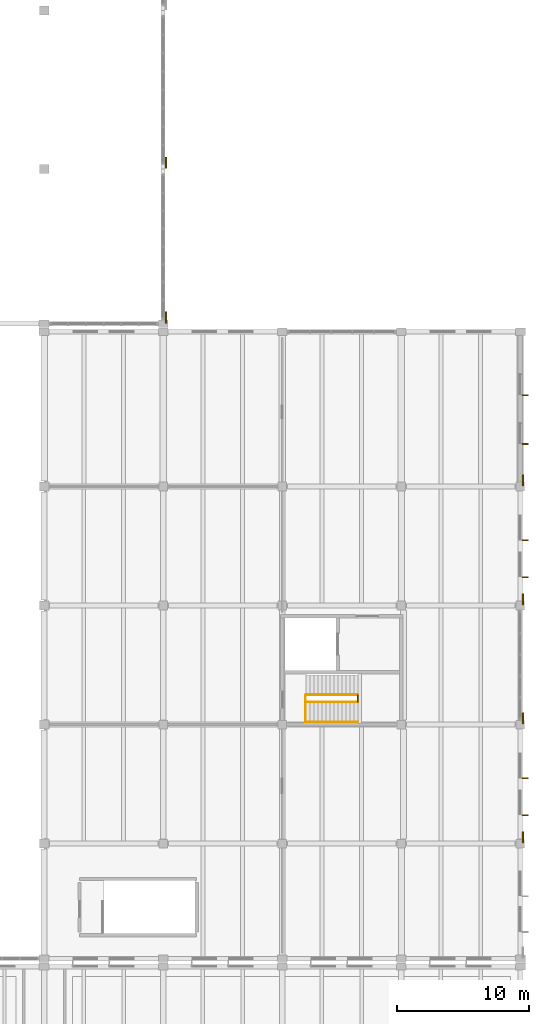
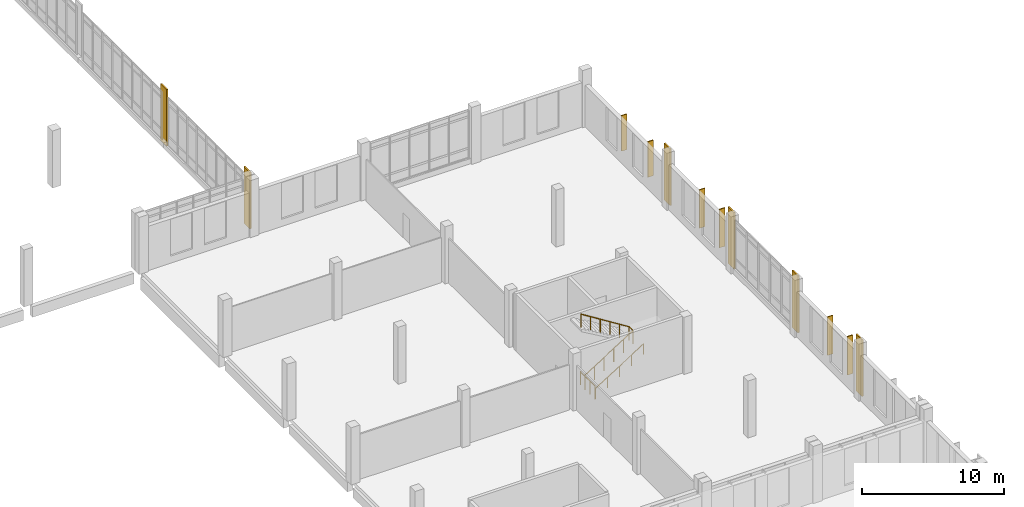
# One storey, part 106 of 110: 6 coverings, 6 shading devices, 5 railings.
"""IFC4 building model written with IfcOpenShell, lengths in metres."""

from ifc_helpers import new_model, si_unit, direction, frame, origin, origin_2d, place, context, subcontext, project, spatial, rectangle, circle, extrude, material, layer, layer_set, type_object, element, save


model = new_model("IFC4")

# Units and contexts
model_context = context("Model", 3, precision=1e-05, world=origin(), true_north=direction((0.0, 1.0)))
body_context = subcontext(model_context, "Body", "Model", "MODEL_VIEW")
ifc_project = project(units=[si_unit("LENGTHUNIT", "METRE"), si_unit("AREAUNIT", "SQUARE_METRE"), si_unit("VOLUMEUNIT", "CUBIC_METRE"), si_unit("PLANEANGLEUNIT", "RADIAN"), si_unit("MASSUNIT", "GRAM", prefix="KILO")], contexts=[model_context])

# Site, building, storey
site_placement = place(None, origin())
site = spatial("IfcSite", under=ifc_project, at=site_placement, CompositionType="ELEMENT")
building_placement = place(site_placement, origin())
building = spatial("IfcBuilding", under=site, at=building_placement, Name="Zacnel Wholesale Market", CompositionType="ELEMENT")
storey_placement = place(building_placement, frame((0.0, 0.0, 6.300048828125)))
storey = spatial("IfcBuildingStorey", under=building, at=storey_placement, Name="L02", CompositionType="ELEMENT", Elevation=6.300048828125)

# Coverings
ifc_material_1 = material(Name="Honed Yucatan Maya cream limestone", Category="masonry")
ifc_layer = layer(ifc_material_1, 0.090087890625)
ifc_layer_set = layer_set([ifc_layer], Name="Honed Yucatan Maya cream limestone")
covering_type = type_object("IfcCoveringType", Name="COV-CLAD-FRET", PredefinedType="CLADDING", material=ifc_layer_set)
for number, where, z_axis, x_axis, name in (
    (1, (189.2099609375, 96.780029296875, 0.02001953125), (0.0, 0.0, 1.0), (0.0, 1.0, 0.0), "Fluted Mayan-Deco limestone pilaster L02-0140"),
    (2, (189.2099609375, 108.47998046875, 0.02001953125), (0.0, 0.0, 1.0), (0.0, 1.0, 0.0), "Fluted Mayan-Deco limestone pilaster L02-0141"),
    (3, (216.2099609375, 57.47998046875, 0.02001953125), (0.0, 0.0, 1.0), (0.0, 1.0, 0.0), "Fluted Mayan-Deco limestone pilaster L02-0158"),
    (4, (216.2099609375, 66.47998046875, 0.02001953125), (0.0, 0.0, 1.0), (0.0, 1.0, 0.0), "Fluted Mayan-Deco limestone pilaster L02-0159"),
    (5, (216.2099609375, 75.47998046875, 0.02001953125), (0.0, 0.0, 1.0), (0.0, 1.0, 0.0), "Fluted Mayan-Deco limestone pilaster L02-0160"),
    (6, (216.2099609375, 84.47998046875, 0.02001953125), (0.0, 0.0, 1.0), (0.0, 1.0, 0.0), "Fluted Mayan-Deco limestone pilaster L02-0161"),
):
    element("IfcCovering", number, at=place(storey_placement, frame(where, z_axis=z_axis, x_axis=x_axis)), inside=storey, type_object=covering_type, Name=name, PredefinedType="CLADDING", context=body_context, shape_type="SweptSolid", body=[
        extrude(rectangle(XDim=0.85009765625, YDim=0.1201171875, at=origin_2d()), origin(), (0.0, 0.0, 1.0), 4.860107421875),
    ])

# Railings
ifc_material_2 = material(Name="Galvanized steel", Category="steel")
railing_type_1 = type_object("IfcRailingType", Name="RAL-HANDRAIL-920", PredefinedType="HANDRAIL", material=ifc_material_2)
railing_1_placement = place(storey_placement, frame((199.81005859375, 66.2099609375, 0.0)))
element("IfcRailing", 7, at=railing_1_placement, inside=storey, type_object=railing_type_1, Name="Stair ST-27 wall handrail", PredefinedType="HANDRAIL", context=body_context, shape_type="SweptSolid", body=[
    extrude(circle(Radius=0.02099609375, at=origin_2d()), frame((0.0, 0.0, 0.89892578125), z_axis=(0.846775046443, 0.0, 0.531951145052), x_axis=(0.0, 1.0, 0.0)), (0.0, 0.0, 1.0), 4.605712890625),
    extrude(circle(Radius=0.01806640625, at=origin_2d()), origin(), (0.0, 0.0, 1.0), 0.8779296875),
    extrude(circle(Radius=0.01806640625, at=origin_2d()), frame((0.97509765625, 0.0, 0.612548828125)), (0.0, 0.0, 1.0), 0.8779296875),
    extrude(circle(Radius=0.01806640625, at=origin_2d()), frame((1.949951171875, 0.0, 1.22509765625)), (0.0, 0.0, 1.0), 0.8779296875),
    extrude(circle(Radius=0.01806640625, at=origin_2d()), frame((2.9248046875, 0.0, 1.83740234375)), (0.0, 0.0, 1.0), 0.8779296875),
    extrude(circle(Radius=0.01806640625, at=origin_2d()), frame((3.89990234375, 0.0, 2.449951171875)), (0.0, 0.0, 1.0), 0.8779296875),
])
ifc_material_3 = material(Name="Galvanized steel", Category="steel")
railing_type_2 = type_object("IfcRailingType", Name="RAL-STAIR-GD1150", PredefinedType="BALUSTRADE", material=ifc_material_3)
railing_2_placement = place(storey_placement, frame((199.75, 66.18994140625, 0.0)))
element("IfcRailing", 8, at=railing_2_placement, inside=storey, type_object=railing_type_2, Name="Stair balustrade INT-STAIR-ST-15-GDWELL-1", PredefinedType="BALUSTRADE", context=body_context, shape_type="SweptSolid", body=[
    extrude(circle(Radius=0.02392578125, at=origin_2d()), frame((0.0, 0.0, 1.1259765625), z_axis=(0.0, 1.0, 0.0), x_axis=(-1.0, 0.0, 0.0)), (0.0, 0.0, 1.0), 2.06005859375),
    extrude(circle(Radius=0.02099609375, at=origin_2d()), origin(), (0.0, 0.0, 1.0), 1.101806640625),
    extrude(circle(Radius=0.02099609375, at=origin_2d()), frame((0.0, 0.686767578125, 0.0)), (0.0, 0.0, 1.0), 1.101806640625),
    extrude(circle(Radius=0.02099609375, at=origin_2d()), frame((0.0, 1.373291015625, 0.0)), (0.0, 0.0, 1.0), 1.101806640625),
    extrude(circle(Radius=0.02099609375, at=origin_2d()), frame((0.0, 2.06005859375, 0.0)), (0.0, 0.0, 1.0), 1.101806640625),
])
railing_3_placement = place(storey_placement, frame((199.81005859375, 67.699951171875, 0.0)))
element("IfcRailing", 9, at=railing_3_placement, inside=storey, type_object=railing_type_2, Name="Stair balustrade INT-STAIR-ST-27-GDIN-1", PredefinedType="BALUSTRADE", context=body_context, shape_type="SweptSolid", body=[
    extrude(circle(Radius=0.02392578125, at=origin_2d()), frame((0.0, 0.0, 1.1259765625), z_axis=(0.846775046443, 0.0, 0.531951145052), x_axis=(0.0, 1.0, 0.0)), (0.0, 0.0, 1.0), 4.605712890625),
    extrude(circle(Radius=0.02099609375, at=origin_2d()), origin(), (0.0, 0.0, 1.0), 1.101806640625),
    extrude(circle(Radius=0.02099609375, at=origin_2d()), frame((0.780029296875, 0.0, 0.489990234375)), (0.0, 0.0, 1.0), 1.101806640625),
    extrude(circle(Radius=0.02099609375, at=origin_2d()), frame((1.56005859375, 0.0, 0.97998046875)), (0.0, 0.0, 1.0), 1.101806640625),
    extrude(circle(Radius=0.02099609375, at=origin_2d()), frame((2.33984375, 0.0, 1.469970703125)), (0.0, 0.0, 1.0), 1.101806640625),
    extrude(circle(Radius=0.02099609375, at=origin_2d()), frame((3.119873046875, 0.0, 1.9599609375)), (0.0, 0.0, 1.0), 1.101806640625),
    extrude(circle(Radius=0.02099609375, at=origin_2d()), frame((3.89990234375, 0.0, 2.449951171875)), (0.0, 0.0, 1.0), 1.101806640625),
])
railing_4_placement = place(storey_placement, frame((203.7099609375, 67.699951171875, 2.449951171875)))
element("IfcRailing", 10, at=railing_4_placement, inside=storey, type_object=railing_type_2, Name="Stair balustrade INT-STAIR-ST-27-GDIN-2", PredefinedType="BALUSTRADE", context=body_context, shape_type="SweptSolid", body=[
    extrude(circle(Radius=0.02392578125, at=origin_2d()), frame((0.0, 0.0, 1.1259765625), z_axis=(0.0, 1.0, 0.0), x_axis=(-1.0, 0.0, 0.0)), (0.0, 0.0, 1.0), 0.550048828125),
    extrude(circle(Radius=0.02099609375, at=origin_2d()), origin(), (0.0, 0.0, 1.0), 1.101806640625),
    extrude(circle(Radius=0.02099609375, at=origin_2d()), frame((0.0, 0.550048828125, 0.0)), (0.0, 0.0, 1.0), 1.101806640625),
])
railing_5_placement = place(storey_placement, frame((203.7099609375, 68.25, 2.449951171875)))
element("IfcRailing", 11, at=railing_5_placement, inside=storey, type_object=railing_type_2, Name="Stair balustrade INT-STAIR-ST-27-GDIN-3", PredefinedType="BALUSTRADE", context=body_context, shape_type="SweptSolid", body=[
    extrude(circle(Radius=0.02392578125, at=origin_2d()), frame((0.0, 0.0, 1.1259765625), z_axis=(-0.846775046443, 0.0, 0.531951145052), x_axis=(0.0, -1.0, 0.0)), (0.0, 0.0, 1.0), 4.605712890625),
    extrude(circle(Radius=0.02099609375, at=origin_2d()), origin(), (0.0, 0.0, 1.0), 1.101806640625),
    extrude(circle(Radius=0.02099609375, at=origin_2d()), frame((-0.780029296875, 0.0, 0.489990234375)), (0.0, 0.0, 1.0), 1.101806640625),
    extrude(circle(Radius=0.02099609375, at=origin_2d()), frame((-1.56005859375, 0.0, 0.97998046875)), (0.0, 0.0, 1.0), 1.101806640625),
    extrude(circle(Radius=0.02099609375, at=origin_2d()), frame((-2.33984375, 0.0, 1.469970703125)), (0.0, 0.0, 1.0), 1.101806640625),
    extrude(circle(Radius=0.02099609375, at=origin_2d()), frame((-3.119873046875, 0.0, 1.9599609375)), (0.0, 0.0, 1.0), 1.101806640625),
    extrude(circle(Radius=0.02099609375, at=origin_2d()), frame((-3.89990234375, 0.0, 2.449951171875)), (0.0, 0.0, 1.0), 1.101806640625),
])

# Shading devices
ifc_material_4 = material(Name="Honed Yucatan Maya cream limestone", Category="masonry")
shading_device_type = type_object("IfcShadingDeviceType", Name="SHD-FIN-V450", PredefinedType="USERDEFINED", material=ifc_material_4)
for number, where, z_axis, x_axis, name in (
    (12, (216.3798828125, 59.14794921875, 0.60498046875), (0.0, 0.0, 1.0), (0.0, 1.0, 0.0), "Limestone sunshade fin 0205"),
    (13, (216.3798828125, 61.931884765625, 0.60498046875), (0.0, 0.0, 1.0), (0.0, 1.0, 0.0), "Limestone sunshade fin 0206"),
    (14, (216.3798828125, 77.14794921875, 0.60498046875), (0.0, 0.0, 1.0), (0.0, 1.0, 0.0), "Limestone sunshade fin 0207"),
    (15, (216.3798828125, 79.931884765625, 0.60498046875), (0.0, 0.0, 1.0), (0.0, 1.0, 0.0), "Limestone sunshade fin 0208"),
):
    element("IfcShadingDevice", number, at=place(storey_placement, frame(where, z_axis=z_axis, x_axis=x_axis)), inside=storey, type_object=shading_device_type, Name=name, ObjectType="SUNSHADE", PredefinedType="USERDEFINED", context=body_context, shape_type="SweptSolid", body=[
        extrude(rectangle(XDim=0.080078125, YDim=0.43994140625, at=origin_2d()), origin(), (0.0, 0.0, 1.0), 3.300048828125),
    ])
for number, where, z_axis, x_axis, name in (
    (16, (216.3798828125, 87.215087890625, 0.5546875), (0.0, 0.0, 1.0), (0.0, 1.0, 0.0), "Limestone sunshade fin 0209"),
    (17, (216.3798828125, 90.9150390625, 0.5546875), (0.0, 0.0, 1.0), (0.0, 1.0, 0.0), "Limestone sunshade fin 0210"),
):
    element("IfcShadingDevice", number, at=place(storey_placement, frame(where, z_axis=z_axis, x_axis=x_axis)), inside=storey, type_object=shading_device_type, Name=name, ObjectType="SUNSHADE", PredefinedType="USERDEFINED", context=body_context, shape_type="SweptSolid", body=[
        extrude(rectangle(XDim=0.080078125, YDim=0.43994140625, at=origin_2d()), origin(), (0.0, 0.0, 1.0), 3.050048828125),
    ])

save(model, "model.ifc")
